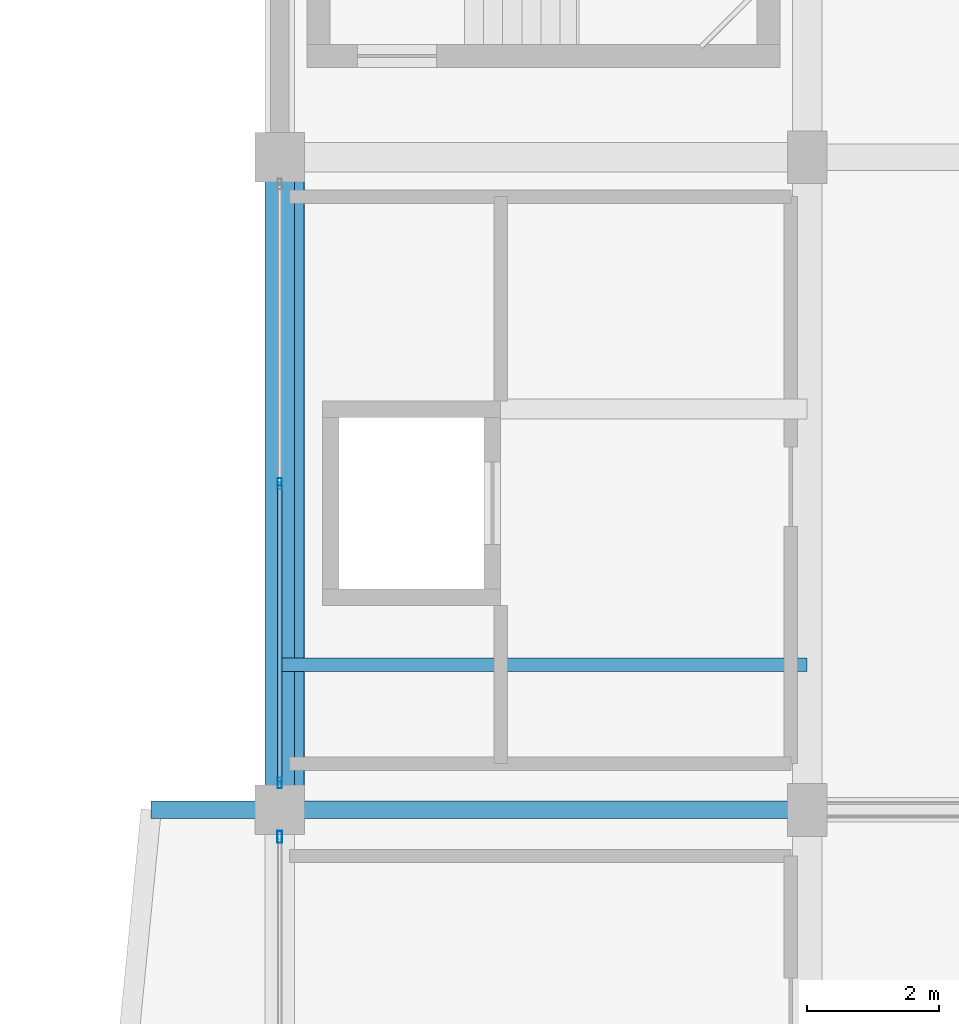
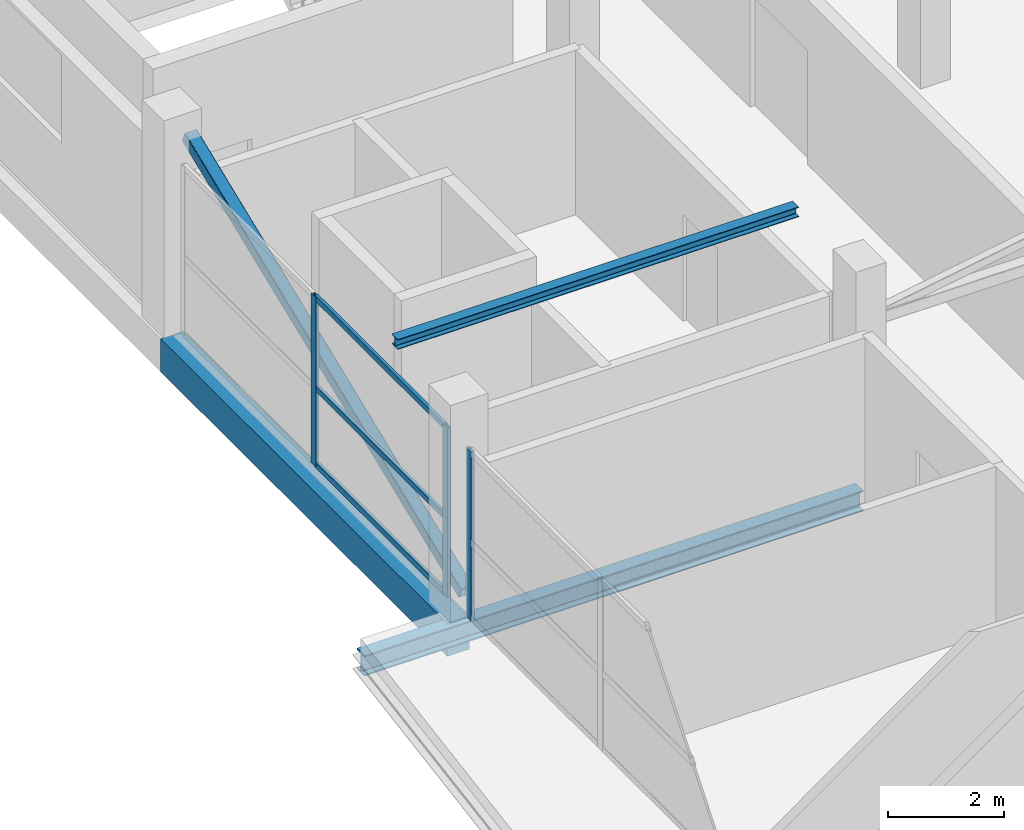
# One storey, part 21 of 58: 8 members, 2 beams, 2 elements without a shape of their own.
"""IFC4 building model written with IfcOpenShell, lengths in metres."""

from ifc_helpers import new_model, si_unit, direction, frame, origin, origin_2d, place, context, subcontext, project, spatial, rectangle, hollow_rectangle, i_section, extrude, material, layer, layer_set, material_profile, profile_set, type_object, element, aggregate, save


model = new_model("IFC4")

# Units and contexts
model_context = context("Model", 3, precision=1e-05, world=origin(), true_north=direction((0.0, 1.0)))
body_context = subcontext(model_context, "Body", "Model", "MODEL_VIEW")
ifc_project = project(units=[si_unit("LENGTHUNIT", "METRE"), si_unit("AREAUNIT", "SQUARE_METRE"), si_unit("VOLUMEUNIT", "CUBIC_METRE"), si_unit("PLANEANGLEUNIT", "RADIAN"), si_unit("MASSUNIT", "GRAM", prefix="KILO")], contexts=[model_context])

# Site, building, storey
site_placement = place(None, origin())
site = spatial("IfcSite", under=ifc_project, at=site_placement, CompositionType="ELEMENT")
building_placement = place(site_placement, origin())
building = spatial("IfcBuilding", under=site, at=building_placement, Name="Sillaruma Civic Art Gallery", CompositionType="ELEMENT")
storey_placement = place(building_placement, frame((0.0, 0.0, 28.56005859375)))
storey = spatial("IfcBuildingStorey", under=building, at=storey_placement, Name="L05", CompositionType="ELEMENT", Elevation=28.56005859375)

# Beams
ifc_material_1 = material(Name="Structural Steel ASTM A992 Gr.50", Category="steel")
ifc_material_profile_1 = material_profile(ifc_material_1, i_section(OverallWidth=0.264892578125, OverallDepth=0.430908203125, WebThickness=0.014892578125, FlangeThickness=0.02490234375, FilletRadius=0.012939453125, at=origin_2d()), Name="W410x149")
ifc_profile_set_1 = profile_set([ifc_material_profile_1], Name="Structural Steel ASTM A992 Gr.50")
beam_type_1 = type_object("IfcBeamType", Name="BM-PROW-W410x149", PredefinedType="BEAM", material=ifc_profile_set_1)
beam_1_placement = place(storey_placement, frame((70.0, 69.300048828125, -0.49560546875), z_axis=(-1.0, 0.0, 0.0), x_axis=(0.0, -1.0, 0.0)))
element("IfcBeam", 1, at=beam_1_placement, inside=storey, type_object=beam_type_1, Name="Back-Spanned Prow Beam (PRW-L04-W-ROF-N)", PredefinedType="BEAM", context=body_context, shape_type="SweptSolid", body=[
    extrude(i_section(OverallWidth=0.264892578125, OverallDepth=0.430908203125, WebThickness=0.014892578125, FlangeThickness=0.02490234375, FilletRadius=0.012939453125, at=origin_2d()), origin(), (0.0, 0.0, 1.0), 9.949951171875),
])
ifc_material_2 = material(Name="Concrete H35 (35 MPa)", Category="concrete")
ifc_material_profile_2 = material_profile(ifc_material_2, rectangle(XDim=0.449951171875, YDim=0.699951171875, at=origin_2d()), Name="RCB450x700")
ifc_profile_set_2 = profile_set([ifc_material_profile_2], Name="Concrete H35 (35 MPa)")
beam_type_2 = type_object("IfcBeamType", Name="BM-SPANDREL-RCB450x700", PredefinedType="SPANDREL", material=ifc_profile_set_2)
beam_2_placement = place(storey_placement, frame((62.0, 69.300048828125, -0.630126953125), z_axis=(0.0, 1.0, 0.0), x_axis=(-1.0, 0.0, 0.0)))
element("IfcBeam", 2, at=beam_2_placement, inside=storey, type_object=beam_type_2, Name="Beam BS-03 (L04:F:8-9)", PredefinedType="SPANDREL", context=body_context, shape_type="SweptSolid", body=[
    extrude(rectangle(XDim=0.449951171875, YDim=0.699951171875, at=origin_2d()), origin(), (0.0, 0.0, 1.0), 9.89990234375),
])

# Member
ifc_material_3 = material(Name="Structural Steel ASTM A500 Gr.C", Category="steel")
ifc_material_profile_3 = material_profile(ifc_material_3, hollow_rectangle(XDim=0.25, YDim=0.25, WallThickness=0.012451171875, InnerFilletRadius=0.012451171875, OuterFilletRadius=0.02490234375, at=origin_2d()), Name="HSS250x250x12.5")
ifc_profile_set_3 = profile_set([ifc_material_profile_3], Name="Structural Steel ASTM A500 Gr.C")
member_type_1 = type_object("IfcMemberType", Name="MEM-MEGA-BRACE", PredefinedType="BRACE", material=ifc_profile_set_3)
member_1_placement = place(storey_placement, frame((62.25, 69.47998046875, 0.119873046875), z_axis=(0.0, 0.928004243674, 0.372569622652), x_axis=(-1.0, 0.0, 0.0)))
element("IfcMember", 3, at=member_1_placement, inside=storey, type_object=member_type_1, Name="Gallery Spine Diagonal Steel Brace (L05-W2)", PredefinedType="BRACE", context=body_context, shape_type="SweptSolid", body=[
    extrude(hollow_rectangle(XDim=0.25, YDim=0.25, WallThickness=0.012451171875, InnerFilletRadius=0.012451171875, OuterFilletRadius=0.02490234375, at=origin_2d()), origin(), (0.0, 0.0, 1.0), 10.2802734375),
])

# Curtain wall, members
ifc_material_4 = material(Name="Thermally Broken Extruded Aluminium 6063-T6", Category="aluminium")
ifc_layer_1 = layer(ifc_material_4, 0.159912109375, Name="Thermally Broken Extruded Aluminium 6063-T6")
ifc_layer_set_1 = layer_set([ifc_layer_1], Name="Thermally Broken Extruded Aluminium 6063-T6")
curtain_wall_type_1 = type_object("IfcCurtainWallType", Name="CW-UNI-30", PredefinedType="NOTDEFINED", material=ifc_layer_set_1)
curtain_wall_1_placement = place(storey_placement, origin())
curtain_wall_1 = element("IfcCurtainWall", 4, at=curtain_wall_1_placement, inside=storey, type_object=curtain_wall_type_1, Name="Unitised Curtain Wall CW-30 (CW-L05-W-6)", PredefinedType="NOTDEFINED")
ifc_material_profile_4 = material_profile(ifc_material_4, hollow_rectangle(XDim=0.06494140625, YDim=0.159912109375, WallThickness=0.00390625, at=origin_2d()), Name="CWM65x160")
ifc_profile_set_4 = profile_set([ifc_material_profile_4], Name="Thermally Broken Extruded Aluminium 6063-T6")
member_type_2 = type_object("IfcMemberType", Name="MEM-MUL-CWM65x160", PredefinedType="MULLION", material=ifc_profile_set_4)
member_2_placement = place(storey_placement, frame((62.0, 69.70751953125, 0.0), z_axis=(0.0, 0.0, 1.0), x_axis=(-1.0, 0.0, 0.0)))
member_2 = element("IfcMember", 5, at=member_2_placement, type_object=member_type_2, Name="CW-30 mullion 1", PredefinedType="MULLION", context=body_context, shape_type="SweptSolid", body=[
    extrude(hollow_rectangle(XDim=0.06494140625, YDim=0.159912109375, WallThickness=0.00390625, at=origin_2d()), origin(), (0.0, 0.0, 1.0), 3.56982421875),
])
member_3_placement = place(storey_placement, frame((62.0, 74.25, 0.0), z_axis=(0.0, 0.0, 1.0), x_axis=(-1.0, 0.0, 0.0)))
member_3 = element("IfcMember", 6, at=member_3_placement, type_object=member_type_2, Name="CW-30 mullion 2", PredefinedType="MULLION", context=body_context, shape_type="SweptSolid", body=[
    extrude(hollow_rectangle(XDim=0.06494140625, YDim=0.159912109375, WallThickness=0.00390625, at=origin_2d()), origin(), (0.0, 0.0, 1.0), 3.56982421875),
])

# Curtain wall, member
ifc_layer_2 = layer(ifc_material_4, 0.179931640625, Name="Thermally Broken Extruded Aluminium 6063-T6")
ifc_layer_set_2 = layer_set([ifc_layer_2], Name="Thermally Broken Extruded Aluminium 6063-T6")
curtain_wall_type_2 = type_object("IfcCurtainWallType", Name="CW-UNI-33", PredefinedType="NOTDEFINED", material=ifc_layer_set_2)
curtain_wall_2_placement = place(storey_placement, origin())
curtain_wall_2 = element("IfcCurtainWall", 7, at=curtain_wall_2_placement, inside=storey, type_object=curtain_wall_type_2, Name="Unitised Curtain Wall CW-33 (CW-L05-W-5)", PredefinedType="NOTDEFINED")
ifc_material_profile_5 = material_profile(ifc_material_4, hollow_rectangle(XDim=0.070068359375, YDim=0.179931640625, WallThickness=0.00390625, at=origin_2d()), Name="CWM70x180")
ifc_profile_set_5 = profile_set([ifc_material_profile_5], Name="Thermally Broken Extruded Aluminium 6063-T6")
member_type_3 = type_object("IfcMemberType", Name="MEM-MUL-CWM70x180", PredefinedType="MULLION", material=ifc_profile_set_5)
member_4_placement = place(storey_placement, frame((62.0, 68.889892578125, 0.0), z_axis=(0.0, 0.0, 1.0), x_axis=(-1.0, 0.0, 0.0)))
member_4 = element("IfcMember", 8, at=member_4_placement, type_object=member_type_3, Name="CW-33 mullion 3", PredefinedType="MULLION", context=body_context, shape_type="SweptSolid", body=[
    extrude(hollow_rectangle(XDim=0.070068359375, YDim=0.179931640625, WallThickness=0.00390625, at=origin_2d()), origin(), (0.0, 0.0, 1.0), 3.56982421875),
])
aggregate(curtain_wall_2, [member_4])

# Member
ifc_material_profile_6 = material_profile(ifc_material_1, i_section(OverallWidth=0.205078125, OverallDepth=0.2099609375, WebThickness=0.009033203125, FlangeThickness=0.01416015625, FilletRadius=0.010009765625, at=origin_2d()), Name="W200x59")
ifc_profile_set_6 = profile_set([ifc_material_profile_6], Name="Structural Steel ASTM A992 Gr.50")
member_type_4 = type_object("IfcMemberType", Name="MEM-STRINGER-W200", PredefinedType="STRINGER", material=ifc_profile_set_6)
member_5_placement = place(storey_placement, frame((62.0, 71.5, 4.244873046875), z_axis=(1.0, 0.0, 0.0), x_axis=(0.0, 1.0, 0.0)))
element("IfcMember", 9, at=member_5_placement, inside=storey, type_object=member_type_4, Name="Feature Stair Floor Stringer (ST-G03)", PredefinedType="STRINGER", context=body_context, shape_type="SweptSolid", body=[
    extrude(i_section(OverallWidth=0.205078125, OverallDepth=0.2099609375, WebThickness=0.009033203125, FlangeThickness=0.01416015625, FilletRadius=0.010009765625, at=origin_2d()), origin(), (0.0, 0.0, 1.0), 8.0),
])

ifc_material_profile_7 = material_profile(ifc_material_4, hollow_rectangle(XDim=0.06494140625, YDim=0.1201171875, WallThickness=0.00341796875, at=origin_2d()), Name="CWT65x120")
ifc_profile_set_7 = profile_set([ifc_material_profile_7], Name="Thermally Broken Extruded Aluminium 6063-T6")
member_type_5 = type_object("IfcMemberType", Name="MEM-TRN-CWT65x120", PredefinedType="USERDEFINED", material=ifc_profile_set_7)
member_6_placement = place(storey_placement, frame((62.0, 69.739990234375, 0.032470703125), z_axis=(0.0, 1.0, 0.0), x_axis=(-1.0, 0.0, 0.0)))
member_6 = element("IfcMember", 10, at=member_6_placement, type_object=member_type_5, Name="CW-30 transom 1.1", ObjectType="TRANSOM", PredefinedType="USERDEFINED", context=body_context, shape_type="SweptSolid", body=[
    extrude(hollow_rectangle(XDim=0.06494140625, YDim=0.1201171875, WallThickness=0.00341796875, at=origin_2d()), origin(), (0.0, 0.0, 1.0), 4.4775390625),
])

member_7_placement = place(storey_placement, frame((62.0, 69.739990234375, 1.64208984375), z_axis=(0.0, 1.0, 0.0), x_axis=(-1.0, 0.0, 0.0)))
member_7 = element("IfcMember", 11, at=member_7_placement, type_object=member_type_5, Name="CW-30 transom 1.2", ObjectType="TRANSOM", PredefinedType="USERDEFINED", context=body_context, shape_type="SweptSolid", body=[
    extrude(hollow_rectangle(XDim=0.06494140625, YDim=0.1201171875, WallThickness=0.00341796875, at=origin_2d()), origin(), (0.0, 0.0, 1.0), 4.4775390625),
])

member_8_placement = place(storey_placement, frame((62.0, 69.739990234375, 3.537353515625), z_axis=(0.0, 1.0, 0.0), x_axis=(-1.0, 0.0, 0.0)))
member_8 = element("IfcMember", 12, at=member_8_placement, type_object=member_type_5, Name="CW-30 transom 1.3", ObjectType="TRANSOM", PredefinedType="USERDEFINED", context=body_context, shape_type="SweptSolid", body=[
    extrude(hollow_rectangle(XDim=0.06494140625, YDim=0.1201171875, WallThickness=0.00341796875, at=origin_2d()), origin(), (0.0, 0.0, 1.0), 4.4775390625),
])

aggregate(curtain_wall_1, [member_2, member_3, member_6, member_7, member_8])

save(model, "model.ifc")
